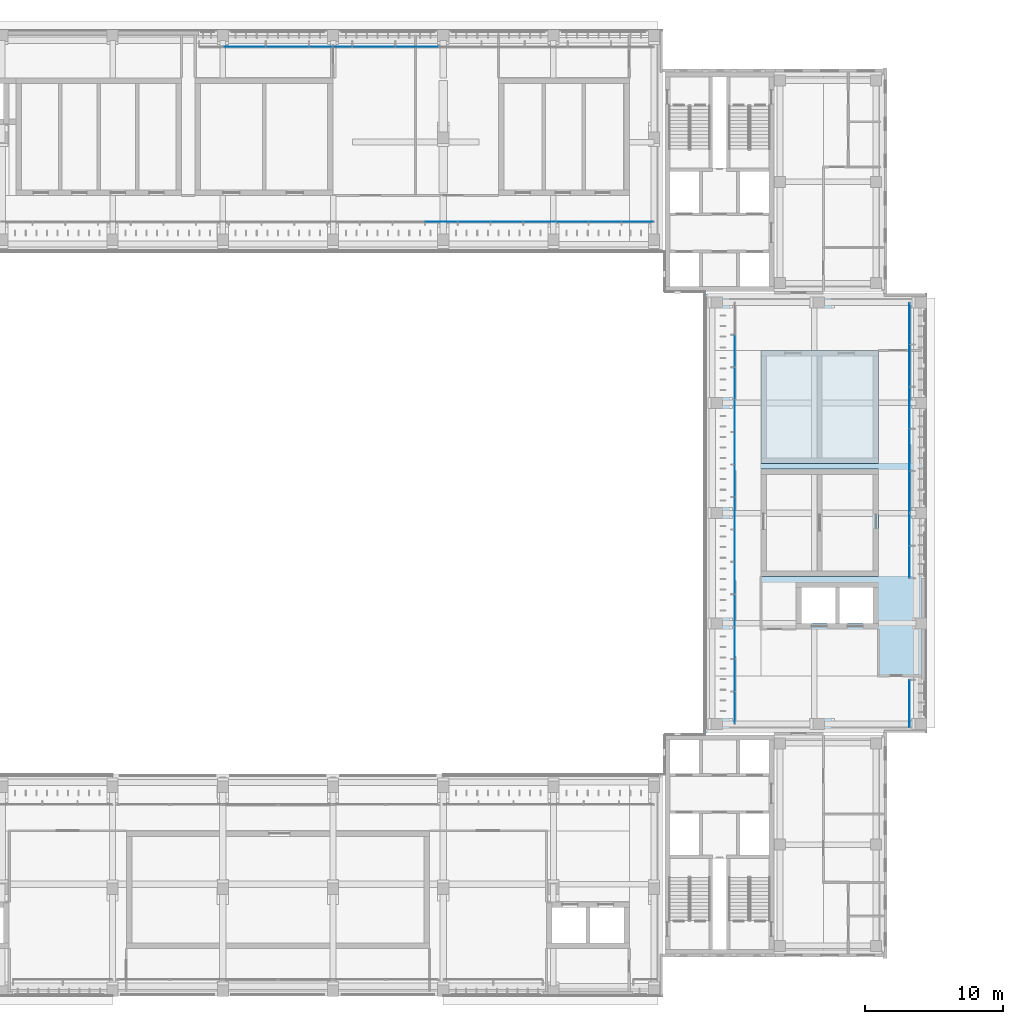
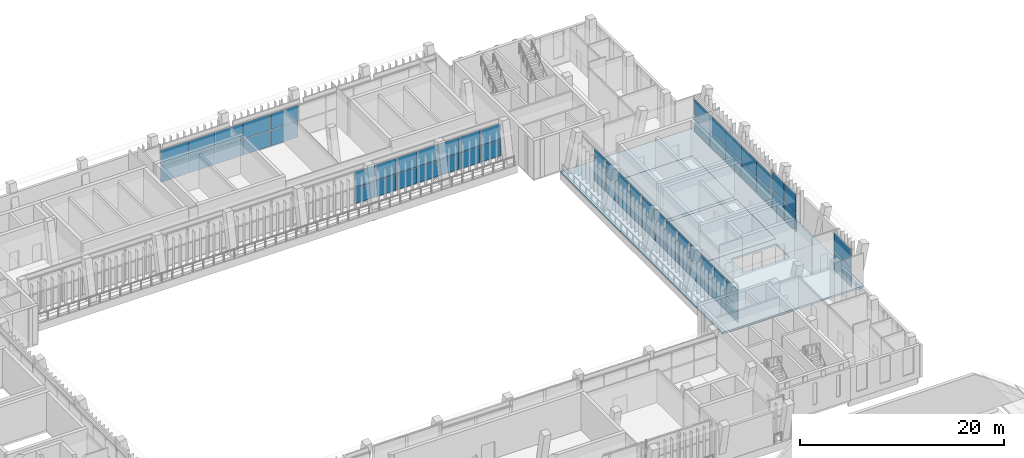
# One storey, part 53 of 89: 64 plates, 3 slabs, 6 elements without a shape of their own.
"""IFC4 building model written with IfcOpenShell, lengths in metres."""

from ifc_helpers import new_model, si_unit, direction, frame, origin, origin_2d, place, context, subcontext, project, spatial, polyline, rectangle, outline, extrude, material, layer, layer_set, type_object, element, aggregate, save


model = new_model("IFC4")

# Units and contexts
model_context = context("Model", 3, precision=1e-05, world=origin(), true_north=direction((0.0, 1.0)))
body_context = subcontext(model_context, "Body", "Model", "MODEL_VIEW")
ifc_project = project(units=[si_unit("LENGTHUNIT", "METRE"), si_unit("AREAUNIT", "SQUARE_METRE"), si_unit("VOLUMEUNIT", "CUBIC_METRE"), si_unit("PLANEANGLEUNIT", "RADIAN"), si_unit("MASSUNIT", "GRAM", prefix="KILO")], contexts=[model_context])

# Site, building, storey
site_placement = place(None, origin())
site = spatial("IfcSite", under=ifc_project, at=site_placement, CompositionType="ELEMENT")
building_placement = place(site_placement, origin())
building = spatial("IfcBuilding", under=site, at=building_placement, Name="Lantern Court Media Centre", CompositionType="ELEMENT")
storey_placement = place(building_placement, frame((0.0, 0.0, 14.39990234375)))
storey = spatial("IfcBuildingStorey", under=building, at=storey_placement, Name="L03", CompositionType="ELEMENT", Elevation=14.39990234375)

# Curtain wall, plates
ifc_material_1 = material(Name="Curtain wall bay 2400")
curtain_wall_type_1 = type_object("IfcCurtainWallType", Name="Curtain wall bay 2400", PredefinedType="NOTDEFINED", material=ifc_material_1)
curtain_wall_1_placement = place(storey_placement, origin())
curtain_wall_1 = element("IfcCurtainWall", 1, at=curtain_wall_1_placement, inside=storey, type_object=curtain_wall_type_1, Name="Curtain wall N inner L03", PredefinedType="NOTDEFINED")
ifc_material_2 = material(Name="Low-iron double glazed unit glass", Category="glass")
ifc_layer_1 = layer(ifc_material_2, 0.02392578125)
ifc_layer_set_1 = layer_set([ifc_layer_1], Name="Low-iron double glazed unit glass")
plate_type_1 = type_object("IfcPlateType", Name="Curtain wall glazing unit 24", PredefinedType="CURTAIN_PANEL", material=ifc_layer_set_1)
plate_1_placement = place(storey_placement, frame((63.86962890625, 101.14990234375, 0.050048828125), z_axis=(0.0, 0.0, 1.0), x_axis=(1.0, 0.0, 0.0)))
plate_1 = element("IfcPlate", 2, at=plate_1_placement, type_object=plate_type_1, Name="CW2 panel 17.1", PredefinedType="CURTAIN_PANEL", context=body_context, shape_type="SweptSolid", body=[
    extrude(rectangle(XDim=2.323974609375, YDim=0.02392578125, at=origin_2d()), origin(), (0.0, 0.0, 1.0), 1.89990234375),
])
plate_2_placement = place(storey_placement, frame((63.86962890625, 101.14990234375, 2.000244140625), z_axis=(0.0, 0.0, 1.0), x_axis=(1.0, 0.0, 0.0)))
plate_2 = element("IfcPlate", 3, at=plate_2_placement, type_object=plate_type_1, Name="CW2 panel 17.2", PredefinedType="CURTAIN_PANEL", context=body_context, shape_type="SweptSolid", body=[
    extrude(rectangle(XDim=2.323974609375, YDim=0.02392578125, at=origin_2d()), origin(), (0.0, 0.0, 1.0), 1.89990234375),
])
plate_3_placement = place(storey_placement, frame((66.243408203125, 101.14990234375, 0.050048828125), z_axis=(0.0, 0.0, 1.0), x_axis=(1.0, 0.0, 0.0)))
plate_3 = element("IfcPlate", 4, at=plate_3_placement, type_object=plate_type_1, Name="CW2 panel 18.1", PredefinedType="CURTAIN_PANEL", context=body_context, shape_type="SweptSolid", body=[
    extrude(rectangle(XDim=2.323974609375, YDim=0.02392578125, at=origin_2d()), origin(), (0.0, 0.0, 1.0), 1.89990234375),
])
plate_4_placement = place(storey_placement, frame((66.243408203125, 101.14990234375, 2.000244140625), z_axis=(0.0, 0.0, 1.0), x_axis=(1.0, 0.0, 0.0)))
plate_4 = element("IfcPlate", 5, at=plate_4_placement, type_object=plate_type_1, Name="CW2 panel 18.2", PredefinedType="CURTAIN_PANEL", context=body_context, shape_type="SweptSolid", body=[
    extrude(rectangle(XDim=2.323974609375, YDim=0.02392578125, at=origin_2d()), origin(), (0.0, 0.0, 1.0), 1.89990234375),
])
plate_5_placement = place(storey_placement, frame((68.617431640625, 101.14990234375, 0.050048828125), z_axis=(0.0, 0.0, 1.0), x_axis=(1.0, 0.0, 0.0)))
plate_5 = element("IfcPlate", 6, at=plate_5_placement, type_object=plate_type_1, Name="CW2 panel 19.1", PredefinedType="CURTAIN_PANEL", context=body_context, shape_type="SweptSolid", body=[
    extrude(rectangle(XDim=2.323974609375, YDim=0.02392578125, at=origin_2d()), origin(), (0.0, 0.0, 1.0), 1.89990234375),
])
plate_6_placement = place(storey_placement, frame((68.617431640625, 101.14990234375, 2.000244140625), z_axis=(0.0, 0.0, 1.0), x_axis=(1.0, 0.0, 0.0)))
plate_6 = element("IfcPlate", 7, at=plate_6_placement, type_object=plate_type_1, Name="CW2 panel 19.2", PredefinedType="CURTAIN_PANEL", context=body_context, shape_type="SweptSolid", body=[
    extrude(rectangle(XDim=2.323974609375, YDim=0.02392578125, at=origin_2d()), origin(), (0.0, 0.0, 1.0), 1.89990234375),
])
plate_7_placement = place(storey_placement, frame((70.9912109375, 101.14990234375, 0.050048828125), z_axis=(0.0, 0.0, 1.0), x_axis=(1.0, 0.0, 0.0)))
plate_7 = element("IfcPlate", 8, at=plate_7_placement, type_object=plate_type_1, Name="CW2 panel 20.1", PredefinedType="CURTAIN_PANEL", context=body_context, shape_type="SweptSolid", body=[
    extrude(rectangle(XDim=2.323974609375, YDim=0.02392578125, at=origin_2d()), origin(), (0.0, 0.0, 1.0), 1.89990234375),
])
plate_8_placement = place(storey_placement, frame((70.9912109375, 101.14990234375, 2.000244140625), z_axis=(0.0, 0.0, 1.0), x_axis=(1.0, 0.0, 0.0)))
plate_8 = element("IfcPlate", 9, at=plate_8_placement, type_object=plate_type_1, Name="CW2 panel 20.2", PredefinedType="CURTAIN_PANEL", context=body_context, shape_type="SweptSolid", body=[
    extrude(rectangle(XDim=2.323974609375, YDim=0.02392578125, at=origin_2d()), origin(), (0.0, 0.0, 1.0), 1.89990234375),
])
plate_9_placement = place(storey_placement, frame((73.365234375, 101.14990234375, 0.050048828125), z_axis=(0.0, 0.0, 1.0), x_axis=(1.0, 0.0, 0.0)))
plate_9 = element("IfcPlate", 10, at=plate_9_placement, type_object=plate_type_1, Name="CW2 panel 21.1", PredefinedType="CURTAIN_PANEL", context=body_context, shape_type="SweptSolid", body=[
    extrude(rectangle(XDim=2.323974609375, YDim=0.02392578125, at=origin_2d()), origin(), (0.0, 0.0, 1.0), 1.89990234375),
])
plate_10_placement = place(storey_placement, frame((73.365234375, 101.14990234375, 2.000244140625), z_axis=(0.0, 0.0, 1.0), x_axis=(1.0, 0.0, 0.0)))
plate_10 = element("IfcPlate", 11, at=plate_10_placement, type_object=plate_type_1, Name="CW2 panel 21.2", PredefinedType="CURTAIN_PANEL", context=body_context, shape_type="SweptSolid", body=[
    extrude(rectangle(XDim=2.323974609375, YDim=0.02392578125, at=origin_2d()), origin(), (0.0, 0.0, 1.0), 1.89990234375),
])
plate_11_placement = place(storey_placement, frame((75.739013671875, 101.14990234375, 0.050048828125), z_axis=(0.0, 0.0, 1.0), x_axis=(1.0, 0.0, 0.0)))
plate_11 = element("IfcPlate", 12, at=plate_11_placement, type_object=plate_type_1, Name="CW2 panel 22.1", PredefinedType="CURTAIN_PANEL", context=body_context, shape_type="SweptSolid", body=[
    extrude(rectangle(XDim=2.323974609375, YDim=0.02392578125, at=origin_2d()), origin(), (0.0, 0.0, 1.0), 1.89990234375),
])
plate_12_placement = place(storey_placement, frame((75.739013671875, 101.14990234375, 2.000244140625), z_axis=(0.0, 0.0, 1.0), x_axis=(1.0, 0.0, 0.0)))
plate_12 = element("IfcPlate", 13, at=plate_12_placement, type_object=plate_type_1, Name="CW2 panel 22.2", PredefinedType="CURTAIN_PANEL", context=body_context, shape_type="SweptSolid", body=[
    extrude(rectangle(XDim=2.323974609375, YDim=0.02392578125, at=origin_2d()), origin(), (0.0, 0.0, 1.0), 1.89990234375),
])
plate_13_placement = place(storey_placement, frame((78.1005859375, 101.14990234375, 0.050048828125), z_axis=(0.0, 0.0, 1.0), x_axis=(1.0, 0.0, 0.0)))
plate_13 = element("IfcPlate", 14, at=plate_13_placement, type_object=plate_type_1, Name="CW2 panel 23.1", PredefinedType="CURTAIN_PANEL", context=body_context, shape_type="SweptSolid", body=[
    extrude(rectangle(XDim=2.298828125, YDim=0.02392578125, at=origin_2d()), origin(), (0.0, 0.0, 1.0), 1.89990234375),
])
plate_14_placement = place(storey_placement, frame((78.1005859375, 101.14990234375, 2.000244140625), z_axis=(0.0, 0.0, 1.0), x_axis=(1.0, 0.0, 0.0)))
plate_14 = element("IfcPlate", 15, at=plate_14_placement, type_object=plate_type_1, Name="CW2 panel 23.2", PredefinedType="CURTAIN_PANEL", context=body_context, shape_type="SweptSolid", body=[
    extrude(rectangle(XDim=2.298828125, YDim=0.02392578125, at=origin_2d()), origin(), (0.0, 0.0, 1.0), 1.89990234375),
])
aggregate(curtain_wall_1, [plate_1, plate_2, plate_3, plate_4, plate_5, plate_6, plate_7, plate_8, plate_9, plate_10, plate_11, plate_12, plate_13, plate_14])

curtain_wall_2_placement = place(storey_placement, origin())
curtain_wall_2 = element("IfcCurtainWall", 16, at=curtain_wall_2_placement, inside=storey, type_object=curtain_wall_type_1, Name="Curtain wall E inner L03", PredefinedType="NOTDEFINED")
plate_15_placement = place(storey_placement, frame((85.14990234375, 65.889404296875, 0.050048828125), z_axis=(0.0, 0.0, 1.0), x_axis=(0.0, 1.0, 0.0)))
plate_15 = element("IfcPlate", 17, at=plate_15_placement, type_object=plate_type_1, Name="CW2 panel 1.1", PredefinedType="CURTAIN_PANEL", context=body_context, shape_type="SweptSolid", body=[
    extrude(rectangle(XDim=2.27880859375, YDim=0.02392578125, at=origin_2d()), origin(), (0.0, 0.0, 1.0), 1.89990234375),
])
plate_16_placement = place(storey_placement, frame((85.14990234375, 65.889404296875, 2.000244140625), z_axis=(0.0, 0.0, 1.0), x_axis=(0.0, 1.0, 0.0)))
plate_16 = element("IfcPlate", 18, at=plate_16_placement, type_object=plate_type_1, Name="CW2 panel 1.2", PredefinedType="CURTAIN_PANEL", context=body_context, shape_type="SweptSolid", body=[
    extrude(rectangle(XDim=2.27880859375, YDim=0.02392578125, at=origin_2d()), origin(), (0.0, 0.0, 1.0), 1.89990234375),
])
plate_17_placement = place(storey_placement, frame((85.14990234375, 68.230712890625, 0.050048828125), z_axis=(0.0, 0.0, 1.0), x_axis=(0.0, 1.0, 0.0)))
plate_17 = element("IfcPlate", 19, at=plate_17_placement, type_object=plate_type_1, Name="CW2 panel 2.1", PredefinedType="CURTAIN_PANEL", context=body_context, shape_type="SweptSolid", body=[
    extrude(rectangle(XDim=2.303955078125, YDim=0.02392578125, at=origin_2d()), origin(), (0.0, 0.0, 1.0), 1.89990234375),
])
plate_18_placement = place(storey_placement, frame((85.14990234375, 68.230712890625, 2.000244140625), z_axis=(0.0, 0.0, 1.0), x_axis=(0.0, 1.0, 0.0)))
plate_18 = element("IfcPlate", 20, at=plate_18_placement, type_object=plate_type_1, Name="CW2 panel 2.2", PredefinedType="CURTAIN_PANEL", context=body_context, shape_type="SweptSolid", body=[
    extrude(rectangle(XDim=2.303955078125, YDim=0.02392578125, at=origin_2d()), origin(), (0.0, 0.0, 1.0), 1.89990234375),
])
plate_19_placement = place(storey_placement, frame((85.14990234375, 70.584716796875, 0.050048828125), z_axis=(0.0, 0.0, 1.0), x_axis=(0.0, 1.0, 0.0)))
plate_19 = element("IfcPlate", 21, at=plate_19_placement, type_object=plate_type_1, Name="CW2 panel 3.1", PredefinedType="CURTAIN_PANEL", context=body_context, shape_type="SweptSolid", body=[
    extrude(rectangle(XDim=2.303955078125, YDim=0.02392578125, at=origin_2d()), origin(), (0.0, 0.0, 1.0), 1.89990234375),
])
plate_20_placement = place(storey_placement, frame((85.14990234375, 70.584716796875, 2.000244140625), z_axis=(0.0, 0.0, 1.0), x_axis=(0.0, 1.0, 0.0)))
plate_20 = element("IfcPlate", 22, at=plate_20_placement, type_object=plate_type_1, Name="CW2 panel 3.2", PredefinedType="CURTAIN_PANEL", context=body_context, shape_type="SweptSolid", body=[
    extrude(rectangle(XDim=2.303955078125, YDim=0.02392578125, at=origin_2d()), origin(), (0.0, 0.0, 1.0), 1.89990234375),
])
plate_21_placement = place(storey_placement, frame((85.14990234375, 72.9384765625, 0.050048828125), z_axis=(0.0, 0.0, 1.0), x_axis=(0.0, 1.0, 0.0)))
plate_21 = element("IfcPlate", 23, at=plate_21_placement, type_object=plate_type_1, Name="CW2 panel 4.1", PredefinedType="CURTAIN_PANEL", context=body_context, shape_type="SweptSolid", body=[
    extrude(rectangle(XDim=2.303955078125, YDim=0.02392578125, at=origin_2d()), origin(), (0.0, 0.0, 1.0), 1.89990234375),
])
plate_22_placement = place(storey_placement, frame((85.14990234375, 72.9384765625, 2.000244140625), z_axis=(0.0, 0.0, 1.0), x_axis=(0.0, 1.0, 0.0)))
plate_22 = element("IfcPlate", 24, at=plate_22_placement, type_object=plate_type_1, Name="CW2 panel 4.2", PredefinedType="CURTAIN_PANEL", context=body_context, shape_type="SweptSolid", body=[
    extrude(rectangle(XDim=2.303955078125, YDim=0.02392578125, at=origin_2d()), origin(), (0.0, 0.0, 1.0), 1.89990234375),
])
plate_23_placement = place(storey_placement, frame((85.14990234375, 75.292236328125, 0.050048828125), z_axis=(0.0, 0.0, 1.0), x_axis=(0.0, 1.0, 0.0)))
plate_23 = element("IfcPlate", 25, at=plate_23_placement, type_object=plate_type_1, Name="CW2 panel 5.1", PredefinedType="CURTAIN_PANEL", context=body_context, shape_type="SweptSolid", body=[
    extrude(rectangle(XDim=2.303955078125, YDim=0.02392578125, at=origin_2d()), origin(), (0.0, 0.0, 1.0), 1.89990234375),
])
plate_24_placement = place(storey_placement, frame((85.14990234375, 75.292236328125, 2.000244140625), z_axis=(0.0, 0.0, 1.0), x_axis=(0.0, 1.0, 0.0)))
plate_24 = element("IfcPlate", 26, at=plate_24_placement, type_object=plate_type_1, Name="CW2 panel 5.2", PredefinedType="CURTAIN_PANEL", context=body_context, shape_type="SweptSolid", body=[
    extrude(rectangle(XDim=2.303955078125, YDim=0.02392578125, at=origin_2d()), origin(), (0.0, 0.0, 1.0), 1.89990234375),
])
plate_25_placement = place(storey_placement, frame((85.14990234375, 77.646240234375, 0.050048828125), z_axis=(0.0, 0.0, 1.0), x_axis=(0.0, 1.0, 0.0)))
plate_25 = element("IfcPlate", 27, at=plate_25_placement, type_object=plate_type_1, Name="CW2 panel 6.1", PredefinedType="CURTAIN_PANEL", context=body_context, shape_type="SweptSolid", body=[
    extrude(rectangle(XDim=2.303955078125, YDim=0.02392578125, at=origin_2d()), origin(), (0.0, 0.0, 1.0), 1.89990234375),
])
plate_26_placement = place(storey_placement, frame((85.14990234375, 77.646240234375, 2.000244140625), z_axis=(0.0, 0.0, 1.0), x_axis=(0.0, 1.0, 0.0)))
plate_26 = element("IfcPlate", 28, at=plate_26_placement, type_object=plate_type_1, Name="CW2 panel 6.2", PredefinedType="CURTAIN_PANEL", context=body_context, shape_type="SweptSolid", body=[
    extrude(rectangle(XDim=2.303955078125, YDim=0.02392578125, at=origin_2d()), origin(), (0.0, 0.0, 1.0), 1.89990234375),
])
plate_27_placement = place(storey_placement, frame((85.14990234375, 80.0, 0.050048828125), z_axis=(0.0, 0.0, 1.0), x_axis=(0.0, 1.0, 0.0)))
plate_27 = element("IfcPlate", 29, at=plate_27_placement, type_object=plate_type_1, Name="CW2 panel 7.1", PredefinedType="CURTAIN_PANEL", context=body_context, shape_type="SweptSolid", body=[
    extrude(rectangle(XDim=2.303955078125, YDim=0.02392578125, at=origin_2d()), origin(), (0.0, 0.0, 1.0), 1.89990234375),
])
plate_28_placement = place(storey_placement, frame((85.14990234375, 80.0, 2.000244140625), z_axis=(0.0, 0.0, 1.0), x_axis=(0.0, 1.0, 0.0)))
plate_28 = element("IfcPlate", 30, at=plate_28_placement, type_object=plate_type_1, Name="CW2 panel 7.2", PredefinedType="CURTAIN_PANEL", context=body_context, shape_type="SweptSolid", body=[
    extrude(rectangle(XDim=2.303955078125, YDim=0.02392578125, at=origin_2d()), origin(), (0.0, 0.0, 1.0), 1.89990234375),
])
plate_29_placement = place(storey_placement, frame((85.14990234375, 82.353759765625, 0.050048828125), z_axis=(0.0, 0.0, 1.0), x_axis=(0.0, 1.0, 0.0)))
plate_29 = element("IfcPlate", 31, at=plate_29_placement, type_object=plate_type_1, Name="CW2 panel 8.1", PredefinedType="CURTAIN_PANEL", context=body_context, shape_type="SweptSolid", body=[
    extrude(rectangle(XDim=2.303955078125, YDim=0.02392578125, at=origin_2d()), origin(), (0.0, 0.0, 1.0), 1.89990234375),
])
plate_30_placement = place(storey_placement, frame((85.14990234375, 82.353759765625, 2.000244140625), z_axis=(0.0, 0.0, 1.0), x_axis=(0.0, 1.0, 0.0)))
plate_30 = element("IfcPlate", 32, at=plate_30_placement, type_object=plate_type_1, Name="CW2 panel 8.2", PredefinedType="CURTAIN_PANEL", context=body_context, shape_type="SweptSolid", body=[
    extrude(rectangle(XDim=2.303955078125, YDim=0.02392578125, at=origin_2d()), origin(), (0.0, 0.0, 1.0), 1.89990234375),
])
plate_31_placement = place(storey_placement, frame((85.14990234375, 84.707763671875, 0.050048828125), z_axis=(0.0, 0.0, 1.0), x_axis=(0.0, 1.0, 0.0)))
plate_31 = element("IfcPlate", 33, at=plate_31_placement, type_object=plate_type_1, Name="CW2 panel 9.1", PredefinedType="CURTAIN_PANEL", context=body_context, shape_type="SweptSolid", body=[
    extrude(rectangle(XDim=2.303955078125, YDim=0.02392578125, at=origin_2d()), origin(), (0.0, 0.0, 1.0), 1.89990234375),
])
plate_32_placement = place(storey_placement, frame((85.14990234375, 84.707763671875, 2.000244140625), z_axis=(0.0, 0.0, 1.0), x_axis=(0.0, 1.0, 0.0)))
plate_32 = element("IfcPlate", 34, at=plate_32_placement, type_object=plate_type_1, Name="CW2 panel 9.2", PredefinedType="CURTAIN_PANEL", context=body_context, shape_type="SweptSolid", body=[
    extrude(rectangle(XDim=2.303955078125, YDim=0.02392578125, at=origin_2d()), origin(), (0.0, 0.0, 1.0), 1.89990234375),
])
plate_33_placement = place(storey_placement, frame((85.14990234375, 87.0615234375, 0.050048828125), z_axis=(0.0, 0.0, 1.0), x_axis=(0.0, 1.0, 0.0)))
plate_33 = element("IfcPlate", 35, at=plate_33_placement, type_object=plate_type_1, Name="CW2 panel 10.1", PredefinedType="CURTAIN_PANEL", context=body_context, shape_type="SweptSolid", body=[
    extrude(rectangle(XDim=2.303955078125, YDim=0.02392578125, at=origin_2d()), origin(), (0.0, 0.0, 1.0), 1.89990234375),
])
plate_34_placement = place(storey_placement, frame((85.14990234375, 87.0615234375, 2.000244140625), z_axis=(0.0, 0.0, 1.0), x_axis=(0.0, 1.0, 0.0)))
plate_34 = element("IfcPlate", 36, at=plate_34_placement, type_object=plate_type_1, Name="CW2 panel 10.2", PredefinedType="CURTAIN_PANEL", context=body_context, shape_type="SweptSolid", body=[
    extrude(rectangle(XDim=2.303955078125, YDim=0.02392578125, at=origin_2d()), origin(), (0.0, 0.0, 1.0), 1.89990234375),
])
plate_35_placement = place(storey_placement, frame((85.14990234375, 89.415283203125, 0.050048828125), z_axis=(0.0, 0.0, 1.0), x_axis=(0.0, 1.0, 0.0)))
plate_35 = element("IfcPlate", 37, at=plate_35_placement, type_object=plate_type_1, Name="CW2 panel 11.1", PredefinedType="CURTAIN_PANEL", context=body_context, shape_type="SweptSolid", body=[
    extrude(rectangle(XDim=2.303955078125, YDim=0.02392578125, at=origin_2d()), origin(), (0.0, 0.0, 1.0), 1.89990234375),
])
plate_36_placement = place(storey_placement, frame((85.14990234375, 89.415283203125, 2.000244140625), z_axis=(0.0, 0.0, 1.0), x_axis=(0.0, 1.0, 0.0)))
plate_36 = element("IfcPlate", 38, at=plate_36_placement, type_object=plate_type_1, Name="CW2 panel 11.2", PredefinedType="CURTAIN_PANEL", context=body_context, shape_type="SweptSolid", body=[
    extrude(rectangle(XDim=2.303955078125, YDim=0.02392578125, at=origin_2d()), origin(), (0.0, 0.0, 1.0), 1.89990234375),
])
plate_37_placement = place(storey_placement, frame((85.14990234375, 91.769287109375, 0.050048828125), z_axis=(0.0, 0.0, 1.0), x_axis=(0.0, 1.0, 0.0)))
plate_37 = element("IfcPlate", 39, at=plate_37_placement, type_object=plate_type_1, Name="CW2 panel 12.1", PredefinedType="CURTAIN_PANEL", context=body_context, shape_type="SweptSolid", body=[
    extrude(rectangle(XDim=2.303955078125, YDim=0.02392578125, at=origin_2d()), origin(), (0.0, 0.0, 1.0), 1.89990234375),
])
plate_38_placement = place(storey_placement, frame((85.14990234375, 91.769287109375, 2.000244140625), z_axis=(0.0, 0.0, 1.0), x_axis=(0.0, 1.0, 0.0)))
plate_38 = element("IfcPlate", 40, at=plate_38_placement, type_object=plate_type_1, Name="CW2 panel 12.2", PredefinedType="CURTAIN_PANEL", context=body_context, shape_type="SweptSolid", body=[
    extrude(rectangle(XDim=2.303955078125, YDim=0.02392578125, at=origin_2d()), origin(), (0.0, 0.0, 1.0), 1.89990234375),
])
aggregate(curtain_wall_2, [plate_15, plate_16, plate_17, plate_18, plate_19, plate_20, plate_21, plate_22, plate_23, plate_24, plate_25, plate_26, plate_27, plate_28, plate_29, plate_30, plate_31, plate_32, plate_33, plate_34, plate_35, plate_36, plate_37, plate_38])

ifc_material_3 = material(Name="Curtain wall bay 3000")
curtain_wall_type_2 = type_object("IfcCurtainWallType", Name="Curtain wall bay 3000", PredefinedType="NOTDEFINED", material=ifc_material_3)
curtain_wall_3_placement = place(storey_placement, origin())
curtain_wall_3 = element("IfcCurtainWall", 41, at=curtain_wall_3_placement, inside=storey, type_object=curtain_wall_type_2, Name="Curtain wall N outer L03", PredefinedType="NOTDEFINED")
ifc_layer_2 = layer(ifc_material_2, 0.028076171875)
ifc_layer_set_2 = layer_set([ifc_layer_2], Name="Low-iron double glazed unit glass")
plate_type_2 = type_object("IfcPlateType", Name="Curtain wall glazing unit 28", PredefinedType="CURTAIN_PANEL", material=ifc_layer_set_2)
plate_39_placement = place(storey_placement, frame((49.580078125, 113.85009765625, 0.06005859375), z_axis=(0.0, 0.0, 1.0), x_axis=(1.0, 0.0, 0.0)))
plate_39 = element("IfcPlate", 42, at=plate_39_placement, type_object=plate_type_2, Name="CW1 panel 1.1", PredefinedType="CURTAIN_PANEL", context=body_context, shape_type="SweptSolid", body=[
    extrude(rectangle(XDim=3.0400390625, YDim=0.028076171875, at=origin_2d()), origin(), (0.0, 0.0, 1.0), 1.885009765625),
])
plate_40_placement = place(storey_placement, frame((49.580078125, 113.85009765625, 2.0048828125), z_axis=(0.0, 0.0, 1.0), x_axis=(1.0, 0.0, 0.0)))
plate_40 = element("IfcPlate", 43, at=plate_40_placement, type_object=plate_type_2, Name="CW1 panel 1.2", PredefinedType="CURTAIN_PANEL", context=body_context, shape_type="SweptSolid", body=[
    extrude(rectangle(XDim=3.0400390625, YDim=0.028076171875, at=origin_2d()), origin(), (0.0, 0.0, 1.0), 1.885009765625),
])
plate_41_placement = place(storey_placement, frame((52.695068359375, 113.85009765625, 0.06005859375), z_axis=(0.0, 0.0, 1.0), x_axis=(1.0, 0.0, 0.0)))
plate_41 = element("IfcPlate", 44, at=plate_41_placement, type_object=plate_type_2, Name="CW1 panel 2.1", PredefinedType="CURTAIN_PANEL", context=body_context, shape_type="SweptSolid", body=[
    extrude(rectangle(XDim=3.070068359375, YDim=0.028076171875, at=origin_2d()), origin(), (0.0, 0.0, 1.0), 1.885009765625),
])
plate_42_placement = place(storey_placement, frame((52.695068359375, 113.85009765625, 2.0048828125), z_axis=(0.0, 0.0, 1.0), x_axis=(1.0, 0.0, 0.0)))
plate_42 = element("IfcPlate", 45, at=plate_42_placement, type_object=plate_type_2, Name="CW1 panel 2.2", PredefinedType="CURTAIN_PANEL", context=body_context, shape_type="SweptSolid", body=[
    extrude(rectangle(XDim=3.070068359375, YDim=0.028076171875, at=origin_2d()), origin(), (0.0, 0.0, 1.0), 1.885009765625),
])
plate_43_placement = place(storey_placement, frame((55.824951171875, 113.85009765625, 0.06005859375), z_axis=(0.0, 0.0, 1.0), x_axis=(1.0, 0.0, 0.0)))
plate_43 = element("IfcPlate", 46, at=plate_43_placement, type_object=plate_type_2, Name="CW1 panel 3.1", PredefinedType="CURTAIN_PANEL", context=body_context, shape_type="SweptSolid", body=[
    extrude(rectangle(XDim=3.070068359375, YDim=0.028076171875, at=origin_2d()), origin(), (0.0, 0.0, 1.0), 1.885009765625),
])
plate_44_placement = place(storey_placement, frame((55.824951171875, 113.85009765625, 2.0048828125), z_axis=(0.0, 0.0, 1.0), x_axis=(1.0, 0.0, 0.0)))
plate_44 = element("IfcPlate", 47, at=plate_44_placement, type_object=plate_type_2, Name="CW1 panel 3.2", PredefinedType="CURTAIN_PANEL", context=body_context, shape_type="SweptSolid", body=[
    extrude(rectangle(XDim=3.070068359375, YDim=0.028076171875, at=origin_2d()), origin(), (0.0, 0.0, 1.0), 1.885009765625),
])
plate_45_placement = place(storey_placement, frame((58.955078125, 113.85009765625, 0.06005859375), z_axis=(0.0, 0.0, 1.0), x_axis=(1.0, 0.0, 0.0)))
plate_45 = element("IfcPlate", 48, at=plate_45_placement, type_object=plate_type_2, Name="CW1 panel 4.1", PredefinedType="CURTAIN_PANEL", context=body_context, shape_type="SweptSolid", body=[
    extrude(rectangle(XDim=3.070068359375, YDim=0.028076171875, at=origin_2d()), origin(), (0.0, 0.0, 1.0), 1.885009765625),
])
plate_46_placement = place(storey_placement, frame((58.955078125, 113.85009765625, 2.0048828125), z_axis=(0.0, 0.0, 1.0), x_axis=(1.0, 0.0, 0.0)))
plate_46 = element("IfcPlate", 49, at=plate_46_placement, type_object=plate_type_2, Name="CW1 panel 4.2", PredefinedType="CURTAIN_PANEL", context=body_context, shape_type="SweptSolid", body=[
    extrude(rectangle(XDim=3.070068359375, YDim=0.028076171875, at=origin_2d()), origin(), (0.0, 0.0, 1.0), 1.885009765625),
])
plate_47_placement = place(storey_placement, frame((62.0849609375, 113.85009765625, 0.06005859375), z_axis=(0.0, 0.0, 1.0), x_axis=(1.0, 0.0, 0.0)))
plate_47 = element("IfcPlate", 50, at=plate_47_placement, type_object=plate_type_2, Name="CW1 panel 5.1", PredefinedType="CURTAIN_PANEL", context=body_context, shape_type="SweptSolid", body=[
    extrude(rectangle(XDim=3.070068359375, YDim=0.028076171875, at=origin_2d()), origin(), (0.0, 0.0, 1.0), 1.885009765625),
])
plate_48_placement = place(storey_placement, frame((62.0849609375, 113.85009765625, 2.0048828125), z_axis=(0.0, 0.0, 1.0), x_axis=(1.0, 0.0, 0.0)))
plate_48 = element("IfcPlate", 51, at=plate_48_placement, type_object=plate_type_2, Name="CW1 panel 5.2", PredefinedType="CURTAIN_PANEL", context=body_context, shape_type="SweptSolid", body=[
    extrude(rectangle(XDim=3.070068359375, YDim=0.028076171875, at=origin_2d()), origin(), (0.0, 0.0, 1.0), 1.885009765625),
])
aggregate(curtain_wall_3, [plate_39, plate_40, plate_41, plate_42, plate_43, plate_44, plate_45, plate_46, plate_47, plate_48])

curtain_wall_4_placement = place(storey_placement, origin())
curtain_wall_4 = element("IfcCurtainWall", 52, at=curtain_wall_4_placement, inside=storey, type_object=curtain_wall_type_2, Name="Curtain wall E outer L03", PredefinedType="NOTDEFINED")
plate_49_placement = place(storey_placement, frame((97.85009765625, 66.18505859375, 0.06005859375), z_axis=(0.0, 0.0, 1.0), x_axis=(0.0, 1.0, 0.0)))
plate_49 = element("IfcPlate", 53, at=plate_49_placement, type_object=plate_type_2, Name="CW1 panel 1.1", PredefinedType="CURTAIN_PANEL", context=body_context, shape_type="SweptSolid", body=[
    extrude(rectangle(XDim=3.409912109375, YDim=0.028076171875, at=origin_2d()), origin(), (0.0, 0.0, 1.0), 2.199951171875),
])
plate_50_placement = place(storey_placement, frame((97.85009765625, 66.18505859375, 2.3203125), z_axis=(0.0, 0.0, 1.0), x_axis=(0.0, 1.0, 0.0)))
plate_50 = element("IfcPlate", 54, at=plate_50_placement, type_object=plate_type_2, Name="CW1 panel 1.2", PredefinedType="CURTAIN_PANEL", context=body_context, shape_type="SweptSolid", body=[
    extrude(rectangle(XDim=3.409912109375, YDim=0.028076171875, at=origin_2d()), origin(), (0.0, 0.0, 1.0), 2.199951171875),
])
aggregate(curtain_wall_4, [plate_49, plate_50])

curtain_wall_5_placement = place(storey_placement, origin())
curtain_wall_5 = element("IfcCurtainWall", 55, at=curtain_wall_5_placement, inside=storey, type_object=curtain_wall_type_2, Name="Curtain wall E outer L03", PredefinedType="NOTDEFINED")
plate_51_placement = place(storey_placement, frame((97.85009765625, 76.452392578125, 0.06005859375), z_axis=(0.0, 0.0, 1.0), x_axis=(0.0, 1.0, 0.0)))
plate_51 = element("IfcPlate", 56, at=plate_51_placement, type_object=plate_type_2, Name="CW1 panel 1.1", PredefinedType="CURTAIN_PANEL", context=body_context, shape_type="SweptSolid", body=[
    extrude(rectangle(XDim=2.284912109375, YDim=0.028076171875, at=origin_2d()), origin(), (0.0, 0.0, 1.0), 2.199951171875),
])
plate_52_placement = place(storey_placement, frame((97.85009765625, 76.452392578125, 2.3203125), z_axis=(0.0, 0.0, 1.0), x_axis=(0.0, 1.0, 0.0)))
plate_52 = element("IfcPlate", 57, at=plate_52_placement, type_object=plate_type_2, Name="CW1 panel 1.2", PredefinedType="CURTAIN_PANEL", context=body_context, shape_type="SweptSolid", body=[
    extrude(rectangle(XDim=2.284912109375, YDim=0.028076171875, at=origin_2d()), origin(), (0.0, 0.0, 1.0), 2.199951171875),
])
plate_53_placement = place(storey_placement, frame((97.85009765625, 78.797607421875, 0.06005859375), z_axis=(0.0, 0.0, 1.0), x_axis=(0.0, 1.0, 0.0)))
plate_53 = element("IfcPlate", 58, at=plate_53_placement, type_object=plate_type_2, Name="CW1 panel 2.1", PredefinedType="CURTAIN_PANEL", context=body_context, shape_type="SweptSolid", body=[
    extrude(rectangle(XDim=2.284912109375, YDim=0.028076171875, at=origin_2d()), origin(), (0.0, 0.0, 1.0), 2.199951171875),
])
plate_54_placement = place(storey_placement, frame((97.85009765625, 78.797607421875, 2.3203125), z_axis=(0.0, 0.0, 1.0), x_axis=(0.0, 1.0, 0.0)))
plate_54 = element("IfcPlate", 59, at=plate_54_placement, type_object=plate_type_2, Name="CW1 panel 2.2", PredefinedType="CURTAIN_PANEL", context=body_context, shape_type="SweptSolid", body=[
    extrude(rectangle(XDim=2.284912109375, YDim=0.028076171875, at=origin_2d()), origin(), (0.0, 0.0, 1.0), 2.199951171875),
])
aggregate(curtain_wall_5, [plate_51, plate_52, plate_53, plate_54])

curtain_wall_6_placement = place(storey_placement, origin())
curtain_wall_6 = element("IfcCurtainWall", 60, at=curtain_wall_6_placement, inside=storey, type_object=curtain_wall_type_2, Name="Curtain wall E outer L03", PredefinedType="NOTDEFINED")
plate_55_placement = place(storey_placement, frame((97.85009765625, 81.544921875, 0.06005859375), z_axis=(0.0, 0.0, 1.0), x_axis=(0.0, 1.0, 0.0)))
plate_55 = element("IfcPlate", 61, at=plate_55_placement, type_object=plate_type_2, Name="CW1 panel 1.1", PredefinedType="CURTAIN_PANEL", context=body_context, shape_type="SweptSolid", body=[
    extrude(rectangle(XDim=2.969970703125, YDim=0.028076171875, at=origin_2d()), origin(), (0.0, 0.0, 1.0), 1.885009765625),
])
plate_56_placement = place(storey_placement, frame((97.85009765625, 81.544921875, 2.0048828125), z_axis=(0.0, 0.0, 1.0), x_axis=(0.0, 1.0, 0.0)))
plate_56 = element("IfcPlate", 62, at=plate_56_placement, type_object=plate_type_2, Name="CW1 panel 1.2", PredefinedType="CURTAIN_PANEL", context=body_context, shape_type="SweptSolid", body=[
    extrude(rectangle(XDim=2.969970703125, YDim=0.028076171875, at=origin_2d()), origin(), (0.0, 0.0, 1.0), 1.885009765625),
])
plate_57_placement = place(storey_placement, frame((97.85009765625, 84.590087890625, 0.06005859375), z_axis=(0.0, 0.0, 1.0), x_axis=(0.0, 1.0, 0.0)))
plate_57 = element("IfcPlate", 63, at=plate_57_placement, type_object=plate_type_2, Name="CW1 panel 2.1", PredefinedType="CURTAIN_PANEL", context=body_context, shape_type="SweptSolid", body=[
    extrude(rectangle(XDim=3.0, YDim=0.028076171875, at=origin_2d()), origin(), (0.0, 0.0, 1.0), 1.885009765625),
])
plate_58_placement = place(storey_placement, frame((97.85009765625, 84.590087890625, 2.0048828125), z_axis=(0.0, 0.0, 1.0), x_axis=(0.0, 1.0, 0.0)))
plate_58 = element("IfcPlate", 64, at=plate_58_placement, type_object=plate_type_2, Name="CW1 panel 2.2", PredefinedType="CURTAIN_PANEL", context=body_context, shape_type="SweptSolid", body=[
    extrude(rectangle(XDim=3.0, YDim=0.028076171875, at=origin_2d()), origin(), (0.0, 0.0, 1.0), 1.885009765625),
])
plate_59_placement = place(storey_placement, frame((97.85009765625, 87.64990234375, 0.06005859375), z_axis=(0.0, 0.0, 1.0), x_axis=(0.0, 1.0, 0.0)))
plate_59 = element("IfcPlate", 65, at=plate_59_placement, type_object=plate_type_2, Name="CW1 panel 3.1", PredefinedType="CURTAIN_PANEL", context=body_context, shape_type="SweptSolid", body=[
    extrude(rectangle(XDim=3.0, YDim=0.028076171875, at=origin_2d()), origin(), (0.0, 0.0, 1.0), 1.885009765625),
])
plate_60_placement = place(storey_placement, frame((97.85009765625, 87.64990234375, 2.0048828125), z_axis=(0.0, 0.0, 1.0), x_axis=(0.0, 1.0, 0.0)))
plate_60 = element("IfcPlate", 66, at=plate_60_placement, type_object=plate_type_2, Name="CW1 panel 3.2", PredefinedType="CURTAIN_PANEL", context=body_context, shape_type="SweptSolid", body=[
    extrude(rectangle(XDim=3.0, YDim=0.028076171875, at=origin_2d()), origin(), (0.0, 0.0, 1.0), 1.885009765625),
])
plate_61_placement = place(storey_placement, frame((97.85009765625, 90.7099609375, 0.06005859375), z_axis=(0.0, 0.0, 1.0), x_axis=(0.0, 1.0, 0.0)))
plate_61 = element("IfcPlate", 67, at=plate_61_placement, type_object=plate_type_2, Name="CW1 panel 4.1", PredefinedType="CURTAIN_PANEL", context=body_context, shape_type="SweptSolid", body=[
    extrude(rectangle(XDim=3.0, YDim=0.028076171875, at=origin_2d()), origin(), (0.0, 0.0, 1.0), 1.885009765625),
])
plate_62_placement = place(storey_placement, frame((97.85009765625, 90.7099609375, 2.0048828125), z_axis=(0.0, 0.0, 1.0), x_axis=(0.0, 1.0, 0.0)))
plate_62 = element("IfcPlate", 68, at=plate_62_placement, type_object=plate_type_2, Name="CW1 panel 4.2", PredefinedType="CURTAIN_PANEL", context=body_context, shape_type="SweptSolid", body=[
    extrude(rectangle(XDim=3.0, YDim=0.028076171875, at=origin_2d()), origin(), (0.0, 0.0, 1.0), 1.885009765625),
])
plate_63_placement = place(storey_placement, frame((97.85009765625, 93.7548828125, 0.06005859375), z_axis=(0.0, 0.0, 1.0), x_axis=(0.0, 1.0, 0.0)))
plate_63 = element("IfcPlate", 69, at=plate_63_placement, type_object=plate_type_2, Name="CW1 panel 5.1", PredefinedType="CURTAIN_PANEL", context=body_context, shape_type="SweptSolid", body=[
    extrude(rectangle(XDim=2.969970703125, YDim=0.028076171875, at=origin_2d()), origin(), (0.0, 0.0, 1.0), 1.885009765625),
])
plate_64_placement = place(storey_placement, frame((97.85009765625, 93.7548828125, 2.0048828125), z_axis=(0.0, 0.0, 1.0), x_axis=(0.0, 1.0, 0.0)))
plate_64 = element("IfcPlate", 70, at=plate_64_placement, type_object=plate_type_2, Name="CW1 panel 5.2", PredefinedType="CURTAIN_PANEL", context=body_context, shape_type="SweptSolid", body=[
    extrude(rectangle(XDim=2.969970703125, YDim=0.028076171875, at=origin_2d()), origin(), (0.0, 0.0, 1.0), 1.885009765625),
])
aggregate(curtain_wall_6, [plate_55, plate_56, plate_57, plate_58, plate_59, plate_60, plate_61, plate_62, plate_63, plate_64])

# Slabs
ifc_material_4 = material(Name="Concrete C35", Category="concrete")
ifc_layer_3 = layer(ifc_material_4, 0.219970703125)
ifc_layer_set_3 = layer_set([ifc_layer_3], Name="Concrete C35")
slab_type_1 = type_object("IfcSlabType", Name="RC FLOOR SLAB 220", PredefinedType="FLOOR", material=ifc_layer_set_3)
slab_1_placement = place(storey_placement, frame((0.0, 0.0, -0.219970703125)))
element("IfcSlab", 71, at=slab_1_placement, inside=storey, type_object=slab_type_1, Name="SL-E-L03", PredefinedType="FLOOR", context=body_context, shape_type="SweptSolid", body=[
    extrude(outline(polyline([(87.050048828125, 64.10009765625), (83.0, 64.10009765625), (83.0, 95.89990234375), (87.050048828125, 95.89990234375), (95.60009765625, 95.89990234375), (99.0, 95.89990234375), (99.0, 64.10009765625), (95.60009765625, 64.10009765625), (87.050048828125, 64.10009765625)]), holes=[polyline([(87.050048828125, 83.60009765625), (95.60009765625, 83.60009765625), (95.60009765625, 91.800048828125), (87.050048828125, 91.800048828125), (87.050048828125, 83.60009765625)]), polyline([(87.050048828125, 75.39990234375), (95.60009765625, 75.39990234375), (95.60009765625, 83.199951171875), (87.050048828125, 83.199951171875), (87.050048828125, 75.39990234375)]), polyline([(95.199951171875, 74.60009765625), (90.0, 74.60009765625), (90.0, 72.0), (95.199951171875, 72.0), (95.199951171875, 74.60009765625)])]), origin(), (0.0, 0.0, 1.0), 0.219970703125),
])
ifc_layer_4 = layer(ifc_material_4, 0.419921875)
ifc_layer_set_4 = layer_set([ifc_layer_4], Name="Concrete C35")
slab_type_2 = type_object("IfcSlabType", Name="RC FLOOR SLAB 420", PredefinedType="FLOOR", material=ifc_layer_set_4)
slab_2_placement = place(storey_placement, frame((0.0, 0.0, -0.419921875)))
element("IfcSlab", 72, at=slab_2_placement, inside=storey, type_object=slab_type_2, Name="SL-E-L03-D1", PredefinedType="FLOOR", context=body_context, shape_type="SweptSolid", body=[
    extrude(outline(polyline([(95.60009765625, 75.39990234375), (95.60009765625, 83.199951171875), (87.050048828125, 83.199951171875), (87.050048828125, 75.39990234375), (95.60009765625, 75.39990234375)])), origin(), (0.0, 0.0, 1.0), 0.419921875),
])
slab_3_placement = place(storey_placement, frame((0.0, 0.0, -0.419921875)))
element("IfcSlab", 73, at=slab_3_placement, inside=storey, type_object=slab_type_2, Name="SL-E-L03-D2", PredefinedType="FLOOR", context=body_context, shape_type="SweptSolid", body=[
    extrude(outline(polyline([(95.60009765625, 83.60009765625), (95.60009765625, 91.800048828125), (87.050048828125, 91.800048828125), (87.050048828125, 83.60009765625), (95.60009765625, 83.60009765625)])), origin(), (0.0, 0.0, 1.0), 0.419921875),
])

save(model, "model.ifc")
